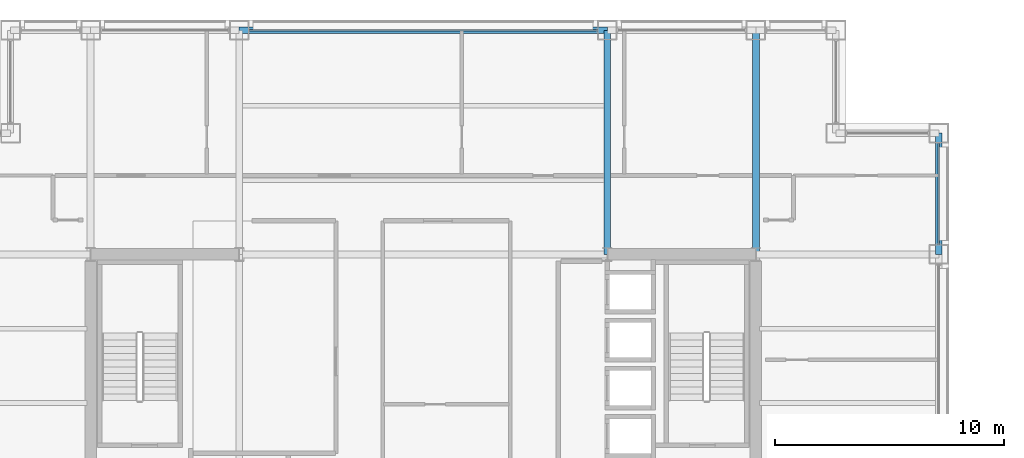
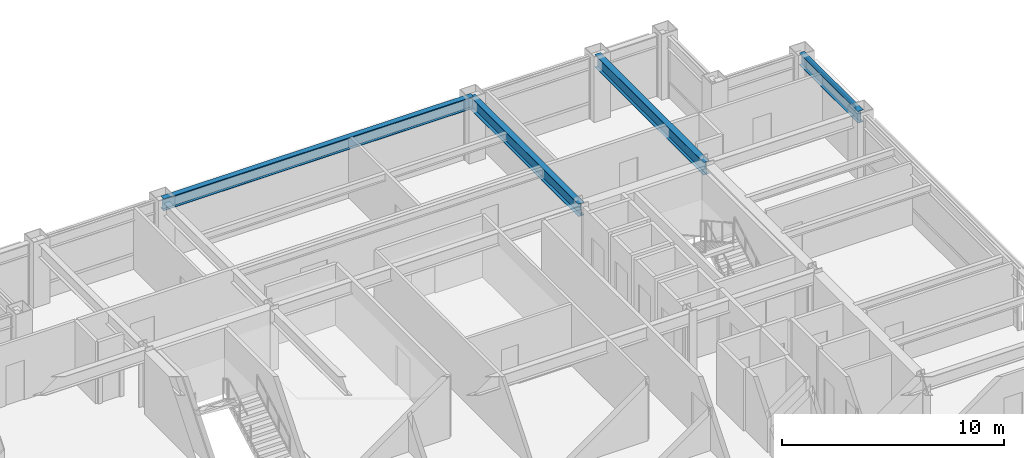
# One storey, part 20 of 30: 4 beams, 2 members, 2 elements without a shape of their own.
"""IFC4 building model written with IfcOpenShell, lengths in metres."""

from ifc_helpers import new_model, si_unit, direction, frame, origin, origin_2d, place, context, subcontext, project, spatial, hollow_rectangle, i_section, extrude, material, layer, layer_set, material_profile, profile_set, type_object, element, aggregate, save


model = new_model("IFC4")

# Units and contexts
model_context = context("Model", 3, precision=1e-05, world=origin(), true_north=direction((0.0, 1.0)))
body_context = subcontext(model_context, "Body", "Model", "MODEL_VIEW")
ifc_project = project(units=[si_unit("LENGTHUNIT", "METRE"), si_unit("AREAUNIT", "SQUARE_METRE"), si_unit("VOLUMEUNIT", "CUBIC_METRE"), si_unit("PLANEANGLEUNIT", "RADIAN"), si_unit("MASSUNIT", "GRAM", prefix="KILO")], contexts=[model_context])

# Site, building, storey
site_placement = place(None, origin())
site = spatial("IfcSite", under=ifc_project, at=site_placement, CompositionType="ELEMENT")
building_placement = place(site_placement, origin())
building = spatial("IfcBuilding", under=site, at=building_placement, Name="Brelmoor Portico Tower", CompositionType="ELEMENT")
storey_placement = place(building_placement, frame((0.0, 0.0, 102.60009765625)))
storey = spatial("IfcBuildingStorey", under=building, at=storey_placement, Name="L26", CompositionType="ELEMENT", Elevation=102.60009765625)

# Beams
ifc_material_1 = material(Name="Steel Q355B", Category="steel")
ifc_material_profile_1 = material_profile(ifc_material_1, i_section(OverallWidth=0.300048828125, OverallDepth=0.699951171875, WebThickness=0.012939453125, FlangeThickness=0.02392578125, at=origin_2d()), Name="HN 700x300x13x24")
ifc_profile_set_1 = profile_set([ifc_material_profile_1], Name="Steel Q355B")
beam_type_1 = type_object("IfcBeamType", Name="BM-PG-700", PredefinedType="BEAM", material=ifc_profile_set_1)
for number, where, z_axis, x_axis, name in (
    (1, (8.050048828125, 9.75, 3.0498046875), (0.0, 1.0, 0.0), (-1.0, 0.0, 0.0), "L26 Primary Floor Girder PG-09"),
    (2, (14.550048828125, 9.75, 3.0498046875), (0.0, 1.0, 0.0), (-1.0, 0.0, 0.0), "L26 Primary Floor Girder PG-13"),
):
    element("IfcBeam", number, at=place(storey_placement, frame(where, z_axis=z_axis, x_axis=x_axis)), inside=storey, type_object=beam_type_1, Name=name, PredefinedType="BEAM", context=body_context, shape_type="SweptSolid", body=[
        extrude(i_section(OverallWidth=0.300048828125, OverallDepth=0.699951171875, WebThickness=0.012939453125, FlangeThickness=0.02392578125, at=origin_2d()), origin(), (0.0, 0.0, 1.0), 9.800048828125),
    ])
ifc_material_profile_2 = material_profile(ifc_material_1, i_section(OverallWidth=0.280029296875, OverallDepth=0.64990234375, WebThickness=0.012939453125, FlangeThickness=0.02197265625, at=origin_2d()), Name="HN 650x280x13x22")
ifc_profile_set_2 = profile_set([ifc_material_profile_2], Name="Steel Q355B")
beam_type_2 = type_object("IfcBeamType", Name="BM-SP-650", PredefinedType="SPANDREL", material=ifc_profile_set_2)
beam_1_placement = place(storey_placement, frame((-8.050048828125, 19.550048828125, 3.074951171875), z_axis=(1.0, 0.0, 0.0), x_axis=(0.0, 1.0, 0.0)))
element("IfcBeam", 3, at=beam_1_placement, inside=storey, type_object=beam_type_2, Name="L26 Perimeter Spandrel Beam SP-12", PredefinedType="SPANDREL", context=body_context, shape_type="SweptSolid", body=[
    extrude(i_section(OverallWidth=0.280029296875, OverallDepth=0.64990234375, WebThickness=0.012939453125, FlangeThickness=0.02197265625, at=origin_2d()), origin(), (0.0, 0.0, 1.0), 16.10009765625),
])
beam_2_placement = place(storey_placement, frame((22.550048828125, 9.75, 3.074951171875), z_axis=(0.0, 1.0, 0.0), x_axis=(-1.0, 0.0, 0.0)))
element("IfcBeam", 4, at=beam_2_placement, inside=storey, type_object=beam_type_2, Name="L26 Perimeter Spandrel Beam SP-24", PredefinedType="SPANDREL", context=body_context, shape_type="SweptSolid", body=[
    extrude(i_section(OverallWidth=0.280029296875, OverallDepth=0.64990234375, WebThickness=0.012939453125, FlangeThickness=0.02197265625, at=origin_2d()), origin(), (0.0, 0.0, 1.0), 5.300048828125),
])

# Curtain wall, member
ifc_material_2 = material(Name="Anodised Aluminium Alloy 6063-T6", Category="aluminium")
ifc_layer = layer(ifc_material_2, 0.179931640625)
ifc_layer_set = layer_set([ifc_layer], Name="Anodised Aluminium Alloy 6063-T6")
curtain_wall_type = type_object("IfcCurtainWallType", Name="CW-TOWER-Z2-XB", PredefinedType="NOTDEFINED", material=ifc_layer_set)
curtain_wall_1_placement = place(storey_placement, origin())
curtain_wall_1 = element("IfcCurtainWall", 5, at=curtain_wall_1_placement, inside=storey, type_object=curtain_wall_type, Name="L26 Curtain Wall CW-L26-02-3", PredefinedType="NOTDEFINED")
ifc_material_profile_3 = material_profile(ifc_material_2, hollow_rectangle(XDim=0.06494140625, YDim=0.139892578125, WallThickness=0.00390625, at=origin_2d()), Name="ALU TRANSOM 65x140")
ifc_profile_set_3 = profile_set([ifc_material_profile_3], Name="Anodised Aluminium Alloy 6063-T6")
member_type = type_object("IfcMemberType", Name="MB-CW-TRAN-140", PredefinedType="USERDEFINED", material=ifc_profile_set_3)
member_1_placement = place(storey_placement, frame((-7.614990234375, 19.550048828125, 3.329833984375), z_axis=(1.0, 0.0, 0.0), x_axis=(0.0, 1.0, 0.0)))
member_1 = element("IfcMember", 6, at=member_1_placement, type_object=member_type, Name="CW-L26-02-3 Transom 1-00", ObjectType="TRANSOM", PredefinedType="USERDEFINED", context=body_context, shape_type="SweptSolid", body=[
    extrude(hollow_rectangle(XDim=0.06494140625, YDim=0.139892578125, WallThickness=0.00390625, at=origin_2d()), origin(), (0.0, 0.0, 1.0), 15.22998046875),
])
aggregate(curtain_wall_1, [member_1])

curtain_wall_2_placement = place(storey_placement, origin())
curtain_wall_2 = element("IfcCurtainWall", 7, at=curtain_wall_2_placement, inside=storey, type_object=curtain_wall_type, Name="L26 Curtain Wall CW-L26-4R-2", PredefinedType="NOTDEFINED")
member_2_placement = place(storey_placement, frame((22.550048828125, 10.18505859375, 3.329833984375), z_axis=(0.0, 1.0, 0.0), x_axis=(-1.0, 0.0, 0.0)))
member_2 = element("IfcMember", 8, at=member_2_placement, type_object=member_type, Name="CW-L26-4R-2 Transom 1-00", ObjectType="TRANSOM", PredefinedType="USERDEFINED", context=body_context, shape_type="SweptSolid", body=[
    extrude(hollow_rectangle(XDim=0.06494140625, YDim=0.139892578125, WallThickness=0.00390625, at=origin_2d()), origin(), (0.0, 0.0, 1.0), 4.429931640625),
])
aggregate(curtain_wall_2, [member_2])

save(model, "model.ifc")
